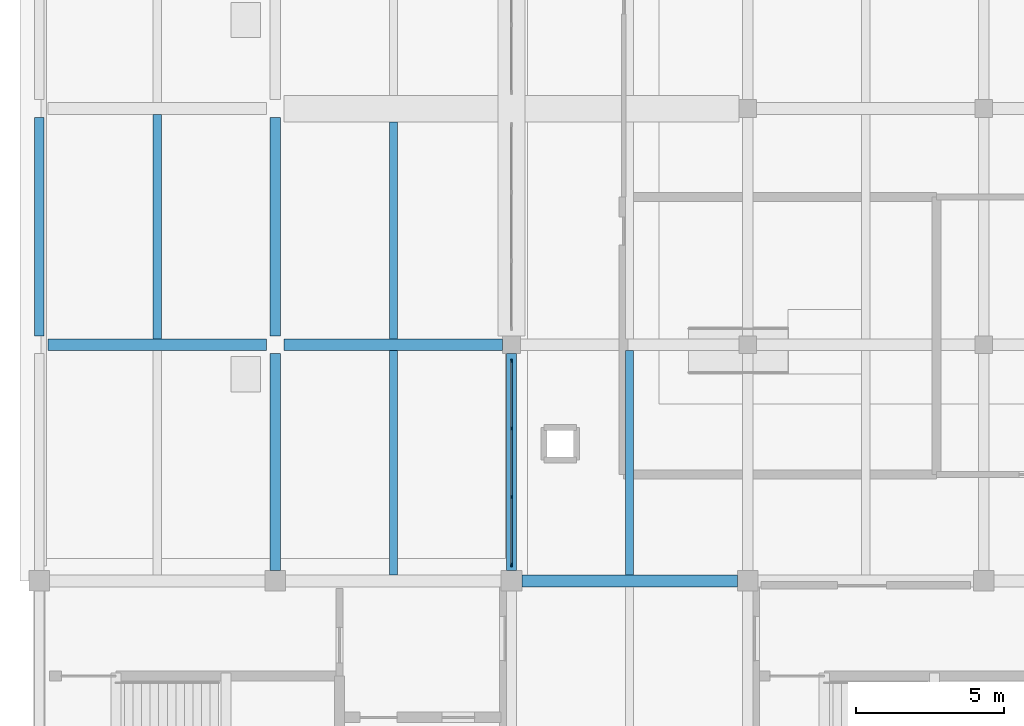
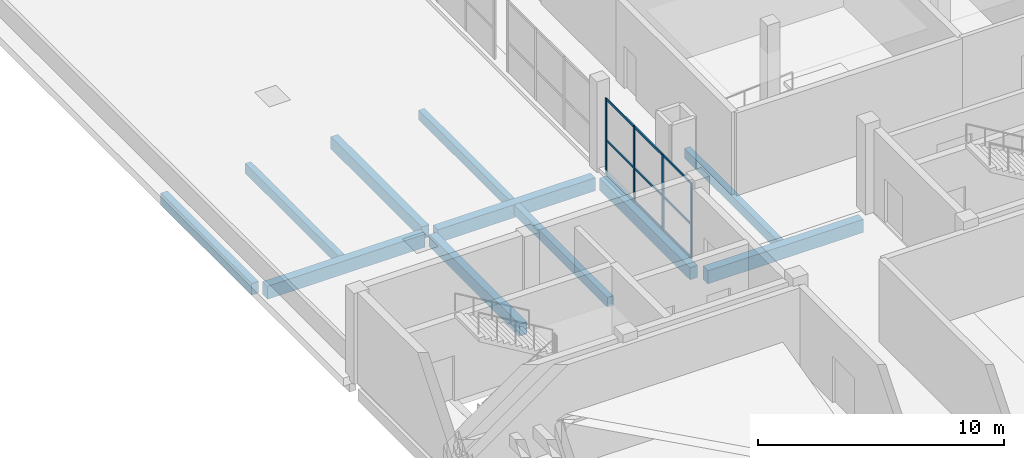
# One storey, part 2 of 14: 13 members, 11 beams, 1 element without a shape of its own.
"""IFC4 building model written with IfcOpenShell, lengths in metres."""

from ifc_helpers import new_model, si_unit, direction, frame, origin, origin_2d, place, context, subcontext, project, spatial, rectangle, extrude, material, layer, layer_set, material_profile, profile_set, type_object, element, aggregate, save


model = new_model("IFC4")

# Units and contexts
model_context = context("Model", 3, precision=1e-05, world=origin(), true_north=direction((0.0, 1.0)))
body_context = subcontext(model_context, "Body", "Model", "MODEL_VIEW")
ifc_project = project(units=[si_unit("LENGTHUNIT", "METRE"), si_unit("AREAUNIT", "SQUARE_METRE"), si_unit("VOLUMEUNIT", "CUBIC_METRE"), si_unit("PLANEANGLEUNIT", "RADIAN"), si_unit("MASSUNIT", "GRAM", prefix="KILO")], contexts=[model_context])

# Site, building, storey
site_placement = place(None, origin())
site = spatial("IfcSite", under=ifc_project, at=site_placement, CompositionType="ELEMENT")
building_placement = place(site_placement, origin())
building = spatial("IfcBuilding", under=site, at=building_placement, Name="Qorikala Patio Media Centre", CompositionType="ELEMENT")
storey_placement = place(building_placement, frame((0.0, 0.0, 23.39990234375)))
storey = spatial("IfcBuildingStorey", under=building, at=storey_placement, Name="L05", CompositionType="ELEMENT", Elevation=23.39990234375)

# Beams
ifc_material_1 = material(Name="Concrete C35/45", Category="concrete")
ifc_material_profile_1 = material_profile(ifc_material_1, rectangle(XDim=0.35009765625, YDim=0.60009765625, at=origin_2d()), Name="RC 350x600")
ifc_profile_set_1 = profile_set([ifc_material_profile_1], Name="Concrete C35/45")
beam_type_1 = type_object("IfcBeamType", Name="BM-G350X600", PredefinedType="BEAM", material=ifc_profile_set_1)
beam_1_placement = place(storey_placement, frame((11.0, 35.35009765625, -0.599853515625), z_axis=(0.0, 1.0, 0.0), x_axis=(-1.0, 0.0, 0.0)))
element("IfcBeam", 1, at=beam_1_placement, inside=storey, type_object=beam_type_1, Name="L05 Grid X=11 Beam 1570", PredefinedType="BEAM", context=body_context, shape_type="SweptSolid", body=[
    extrude(rectangle(XDim=0.35009765625, YDim=0.60009765625, at=origin_2d()), origin(), (0.0, 0.0, 1.0), 7.349853515625),
])
beam_2_placement = place(storey_placement, frame((11.0, 43.300048828125, -0.599853515625), z_axis=(0.0, 1.0, 0.0), x_axis=(-1.0, 0.0, 0.0)))
element("IfcBeam", 2, at=beam_2_placement, inside=storey, type_object=beam_type_1, Name="L05 Grid X=11 Beam 1571", PredefinedType="BEAM", context=body_context, shape_type="SweptSolid", body=[
    extrude(rectangle(XDim=0.35009765625, YDim=0.60009765625, at=origin_2d()), origin(), (0.0, 0.0, 1.0), 7.39990234375),
])
beam_3_placement = place(storey_placement, frame((19.0, 35.35009765625, -0.599853515625), z_axis=(0.0, 1.0, 0.0), x_axis=(-1.0, 0.0, 0.0)))
element("IfcBeam", 3, at=beam_3_placement, inside=storey, type_object=beam_type_1, Name="L05 Grid X=19 Beam 1578", PredefinedType="BEAM", context=body_context, shape_type="SweptSolid", body=[
    extrude(rectangle(XDim=0.35009765625, YDim=0.60009765625, at=origin_2d()), origin(), (0.0, 0.0, 1.0), 7.349853515625),
])
ifc_material_profile_2 = material_profile(ifc_material_1, rectangle(XDim=0.39990234375, YDim=0.64990234375, at=origin_2d()), Name="RC 400x650")
ifc_profile_set_2 = profile_set([ifc_material_profile_2], Name="Concrete C35/45")
beam_type_2 = type_object("IfcBeamType", Name="BM-G400X650", PredefinedType="BEAM", material=ifc_profile_set_2)
beam_4_placement = place(storey_placement, frame((19.35009765625, 35.0, -0.625), z_axis=(1.0, 0.0, 0.0), x_axis=(0.0, 1.0, 0.0)))
element("IfcBeam", 4, at=beam_4_placement, inside=storey, type_object=beam_type_2, Name="L05 Grid 35 Beam 1533", PredefinedType="BEAM", context=body_context, shape_type="SweptSolid", body=[
    extrude(rectangle(XDim=0.39990234375, YDim=0.64990234375, at=origin_2d()), origin(), (0.0, 0.0, 1.0), 7.2998046875),
])
for number, where, z_axis, x_axis, name in (
    (5, (3.300048828125, 43.0, -0.625), (1.0, 0.0, 0.0), (0.0, 1.0, 0.0), "L05 Grid 43 Beam 1536"),
    (6, (11.300048828125, 43.0, -0.625), (1.0, 0.0, 0.0), (0.0, 1.0, 0.0), "L05 Grid 43 Beam 1537"),
):
    element("IfcBeam", number, at=place(storey_placement, frame(where, z_axis=z_axis, x_axis=x_axis)), inside=storey, type_object=beam_type_2, Name=name, PredefinedType="BEAM", context=body_context, shape_type="SweptSolid", body=[
        extrude(rectangle(XDim=0.39990234375, YDim=0.64990234375, at=origin_2d()), origin(), (0.0, 0.0, 1.0), 7.39990234375),
    ])

# Curtain wall, members
ifc_material_2 = material(Name="Bronze Anodised Aluminium and Low-E Glass", Category="aluminium")
ifc_layer = layer(ifc_material_2, 0.159912109375)
ifc_layer_set = layer_set([ifc_layer], Name="Bronze Anodised Aluminium and Low-E Glass")
curtain_wall_type = type_object("IfcCurtainWallType", Name="CW-PAV-696X375", PredefinedType="USERDEFINED", material=ifc_layer_set)
curtain_wall_placement = place(storey_placement, origin())
curtain_wall = element("IfcCurtainWall", 7, at=curtain_wall_placement, inside=storey, type_object=curtain_wall_type, Name="L05 Courtyard Curtain Wall 092", ObjectType="COURTYARD CURTAIN WALL", PredefinedType="USERDEFINED")
ifc_material_3 = material(Name="Bronze Anodised Aluminium", Category="aluminium")
ifc_material_profile_3 = material_profile(ifc_material_3, rectangle(XDim=0.06005859375, YDim=0.1298828125, at=origin_2d()), Name="ALU MULLION 60x130")
ifc_profile_set_3 = profile_set([ifc_material_profile_3], Name="Bronze Anodised Aluminium")
member_type_1 = type_object("IfcMemberType", Name="CWM-60X130", PredefinedType="MULLION", material=ifc_profile_set_3)
member_1_placement = place(storey_placement, frame((19.0, 35.550048828125, 0.0), z_axis=(0.0, 0.0, 1.0), x_axis=(-1.0, 0.0, 0.0)))
member_1 = element("IfcMember", 8, at=member_1_placement, type_object=member_type_1, Name="CWP696375 mullion 1", PredefinedType="MULLION", context=body_context, shape_type="SweptSolid", body=[
    extrude(rectangle(XDim=0.06005859375, YDim=0.1298828125, at=origin_2d()), origin(), (0.0, 0.0, 1.0), 3.75),
])
member_2_placement = place(storey_placement, frame((19.0, 37.840087890625, 0.0), z_axis=(0.0, 0.0, 1.0), x_axis=(-1.0, 0.0, 0.0)))
member_2 = element("IfcMember", 9, at=member_2_placement, type_object=member_type_1, Name="CWP696375 mullion 2", PredefinedType="MULLION", context=body_context, shape_type="SweptSolid", body=[
    extrude(rectangle(XDim=0.06005859375, YDim=0.1298828125, at=origin_2d()), origin(), (0.0, 0.0, 1.0), 3.75),
])
member_3_placement = place(storey_placement, frame((19.0, 40.159912109375, 0.0), z_axis=(0.0, 0.0, 1.0), x_axis=(-1.0, 0.0, 0.0)))
member_3 = element("IfcMember", 10, at=member_3_placement, type_object=member_type_1, Name="CWP696375 mullion 3", PredefinedType="MULLION", context=body_context, shape_type="SweptSolid", body=[
    extrude(rectangle(XDim=0.06005859375, YDim=0.1298828125, at=origin_2d()), origin(), (0.0, 0.0, 1.0), 3.75),
])
member_4_placement = place(storey_placement, frame((19.0, 42.449951171875, 0.0), z_axis=(0.0, 0.0, 1.0), x_axis=(-1.0, 0.0, 0.0)))
member_4 = element("IfcMember", 11, at=member_4_placement, type_object=member_type_1, Name="CWP696375 mullion 4", PredefinedType="MULLION", context=body_context, shape_type="SweptSolid", body=[
    extrude(rectangle(XDim=0.06005859375, YDim=0.1298828125, at=origin_2d()), origin(), (0.0, 0.0, 1.0), 3.75),
])
ifc_material_profile_4 = material_profile(ifc_material_3, rectangle(XDim=0.06005859375, YDim=0.10009765625, at=origin_2d()), Name="ALU TRANSOM 60x100")
ifc_profile_set_4 = profile_set([ifc_material_profile_4], Name="Bronze Anodised Aluminium")
member_type_2 = type_object("IfcMemberType", Name="CWT-60X100", PredefinedType="USERDEFINED", material=ifc_profile_set_4)
member_5_placement = place(storey_placement, frame((19.0, 35.580078125, 0.030029296875), z_axis=(0.0, 1.0, 0.0), x_axis=(-1.0, 0.0, 0.0)))
member_5 = element("IfcMember", 12, at=member_5_placement, type_object=member_type_2, Name="CWP696375 transom 1.1", ObjectType="TRANSOM", PredefinedType="USERDEFINED", context=body_context, shape_type="SweptSolid", body=[
    extrude(rectangle(XDim=0.06005859375, YDim=0.10009765625, at=origin_2d()), origin(), (0.0, 0.0, 1.0), 2.22998046875),
])
member_6_placement = place(storey_placement, frame((19.0, 35.580078125, 1.6875), z_axis=(0.0, 1.0, 0.0), x_axis=(-1.0, 0.0, 0.0)))
member_6 = element("IfcMember", 13, at=member_6_placement, type_object=member_type_2, Name="CWP696375 transom 1.2", ObjectType="TRANSOM", PredefinedType="USERDEFINED", context=body_context, shape_type="SweptSolid", body=[
    extrude(rectangle(XDim=0.06005859375, YDim=0.10009765625, at=origin_2d()), origin(), (0.0, 0.0, 1.0), 2.22998046875),
])
member_7_placement = place(storey_placement, frame((19.0, 35.580078125, 3.72021484375), z_axis=(0.0, 1.0, 0.0), x_axis=(-1.0, 0.0, 0.0)))
member_7 = element("IfcMember", 14, at=member_7_placement, type_object=member_type_2, Name="CWP696375 transom 1.3", ObjectType="TRANSOM", PredefinedType="USERDEFINED", context=body_context, shape_type="SweptSolid", body=[
    extrude(rectangle(XDim=0.06005859375, YDim=0.10009765625, at=origin_2d()), origin(), (0.0, 0.0, 1.0), 2.22998046875),
])
member_8_placement = place(storey_placement, frame((19.0, 37.8701171875, 0.030029296875), z_axis=(0.0, 1.0, 0.0), x_axis=(-1.0, 0.0, 0.0)))
member_8 = element("IfcMember", 15, at=member_8_placement, type_object=member_type_2, Name="CWP696375 transom 2.1", ObjectType="TRANSOM", PredefinedType="USERDEFINED", context=body_context, shape_type="SweptSolid", body=[
    extrude(rectangle(XDim=0.06005859375, YDim=0.10009765625, at=origin_2d()), origin(), (0.0, 0.0, 1.0), 2.259765625),
])
member_9_placement = place(storey_placement, frame((19.0, 37.8701171875, 1.6875), z_axis=(0.0, 1.0, 0.0), x_axis=(-1.0, 0.0, 0.0)))
member_9 = element("IfcMember", 16, at=member_9_placement, type_object=member_type_2, Name="CWP696375 transom 2.2", ObjectType="TRANSOM", PredefinedType="USERDEFINED", context=body_context, shape_type="SweptSolid", body=[
    extrude(rectangle(XDim=0.06005859375, YDim=0.10009765625, at=origin_2d()), origin(), (0.0, 0.0, 1.0), 2.259765625),
])
member_10_placement = place(storey_placement, frame((19.0, 37.8701171875, 3.72021484375), z_axis=(0.0, 1.0, 0.0), x_axis=(-1.0, 0.0, 0.0)))
member_10 = element("IfcMember", 17, at=member_10_placement, type_object=member_type_2, Name="CWP696375 transom 2.3", ObjectType="TRANSOM", PredefinedType="USERDEFINED", context=body_context, shape_type="SweptSolid", body=[
    extrude(rectangle(XDim=0.06005859375, YDim=0.10009765625, at=origin_2d()), origin(), (0.0, 0.0, 1.0), 2.259765625),
])
member_11_placement = place(storey_placement, frame((19.0, 40.18994140625, 0.030029296875), z_axis=(0.0, 1.0, 0.0), x_axis=(-1.0, 0.0, 0.0)))
member_11 = element("IfcMember", 18, at=member_11_placement, type_object=member_type_2, Name="CWP696375 transom 3.1", ObjectType="TRANSOM", PredefinedType="USERDEFINED", context=body_context, shape_type="SweptSolid", body=[
    extrude(rectangle(XDim=0.06005859375, YDim=0.10009765625, at=origin_2d()), origin(), (0.0, 0.0, 1.0), 2.22998046875),
])
member_12_placement = place(storey_placement, frame((19.0, 40.18994140625, 1.6875), z_axis=(0.0, 1.0, 0.0), x_axis=(-1.0, 0.0, 0.0)))
member_12 = element("IfcMember", 19, at=member_12_placement, type_object=member_type_2, Name="CWP696375 transom 3.2", ObjectType="TRANSOM", PredefinedType="USERDEFINED", context=body_context, shape_type="SweptSolid", body=[
    extrude(rectangle(XDim=0.06005859375, YDim=0.10009765625, at=origin_2d()), origin(), (0.0, 0.0, 1.0), 2.22998046875),
])
member_13_placement = place(storey_placement, frame((19.0, 40.18994140625, 3.72021484375), z_axis=(0.0, 1.0, 0.0), x_axis=(-1.0, 0.0, 0.0)))
member_13 = element("IfcMember", 20, at=member_13_placement, type_object=member_type_2, Name="CWP696375 transom 3.3", ObjectType="TRANSOM", PredefinedType="USERDEFINED", context=body_context, shape_type="SweptSolid", body=[
    extrude(rectangle(XDim=0.06005859375, YDim=0.10009765625, at=origin_2d()), origin(), (0.0, 0.0, 1.0), 2.22998046875),
])
aggregate(curtain_wall, [member_1, member_2, member_3, member_4, member_5, member_6, member_7, member_8, member_9, member_10, member_11, member_12, member_13])

# Beams
ifc_material_profile_5 = material_profile(ifc_material_1, rectangle(XDim=0.280029296875, YDim=0.47998046875, at=origin_2d()), Name="RC 280x480")
ifc_profile_set_5 = profile_set([ifc_material_profile_5], Name="Concrete C35/45")
beam_type_3 = type_object("IfcBeamType", Name="JS-280X480", PredefinedType="JOIST", material=ifc_profile_set_5)
for number, where, z_axis, x_axis, name in (
    (21, (7.0, 43.199951171875, -0.539794921875), (0.0, 1.0, 0.0), (-1.0, 0.0, 0.0), "L05 Secondary Joist 1627"),
    (22, (15.0, 35.199951171875, -0.539794921875), (0.0, 1.0, 0.0), (-1.0, 0.0, 0.0), "L05 Secondary Joist 1633"),
):
    element("IfcBeam", number, at=place(storey_placement, frame(where, z_axis=z_axis, x_axis=x_axis)), inside=storey, type_object=beam_type_3, Name=name, PredefinedType="JOIST", context=body_context, shape_type="SweptSolid", body=[
        extrude(rectangle(XDim=0.280029296875, YDim=0.47998046875, at=origin_2d()), origin(), (0.0, 0.0, 1.0), 7.60009765625),
    ])
beam_5_placement = place(storey_placement, frame((15.0, 43.199951171875, -0.539794921875), z_axis=(0.0, 1.0, 0.0), x_axis=(-1.0, 0.0, 0.0)))
element("IfcBeam", 23, at=beam_5_placement, inside=storey, type_object=beam_type_3, Name="L05 Secondary Joist 1634", PredefinedType="JOIST", context=body_context, shape_type="SweptSolid", body=[
    extrude(rectangle(XDim=0.280029296875, YDim=0.47998046875, at=origin_2d()), origin(), (0.0, 0.0, 1.0), 7.35009765625),
])
beam_6_placement = place(storey_placement, frame((23.0, 35.199951171875, -0.539794921875), z_axis=(0.0, 1.0, 0.0), x_axis=(-1.0, 0.0, 0.0)))
element("IfcBeam", 24, at=beam_6_placement, inside=storey, type_object=beam_type_3, Name="L05 Secondary Joist 1641", PredefinedType="JOIST", context=body_context, shape_type="SweptSolid", body=[
    extrude(rectangle(XDim=0.280029296875, YDim=0.47998046875, at=origin_2d()), origin(), (0.0, 0.0, 1.0), 7.60009765625),
])
ifc_material_profile_6 = material_profile(ifc_material_1, rectangle(XDim=0.320068359375, YDim=0.580078125, at=origin_2d()), Name="RC 320x580")
ifc_profile_set_6 = profile_set([ifc_material_profile_6], Name="Concrete C35/45")
beam_type_4 = type_object("IfcBeamType", Name="SP-320X580", PredefinedType="SPANDREL", material=ifc_profile_set_6)
beam_7_placement = place(storey_placement, frame((3.0, 43.300048828125, -0.58984375), z_axis=(0.0, 1.0, 0.0), x_axis=(-1.0, 0.0, 0.0)))
element("IfcBeam", 25, at=beam_7_placement, inside=storey, type_object=beam_type_4, Name="L05 Grid X=3 Beam 1563", PredefinedType="SPANDREL", context=body_context, shape_type="SweptSolid", body=[
    extrude(rectangle(XDim=0.320068359375, YDim=0.580078125, at=origin_2d()), origin(), (0.0, 0.0, 1.0), 7.39990234375),
])

save(model, "model.ifc")
